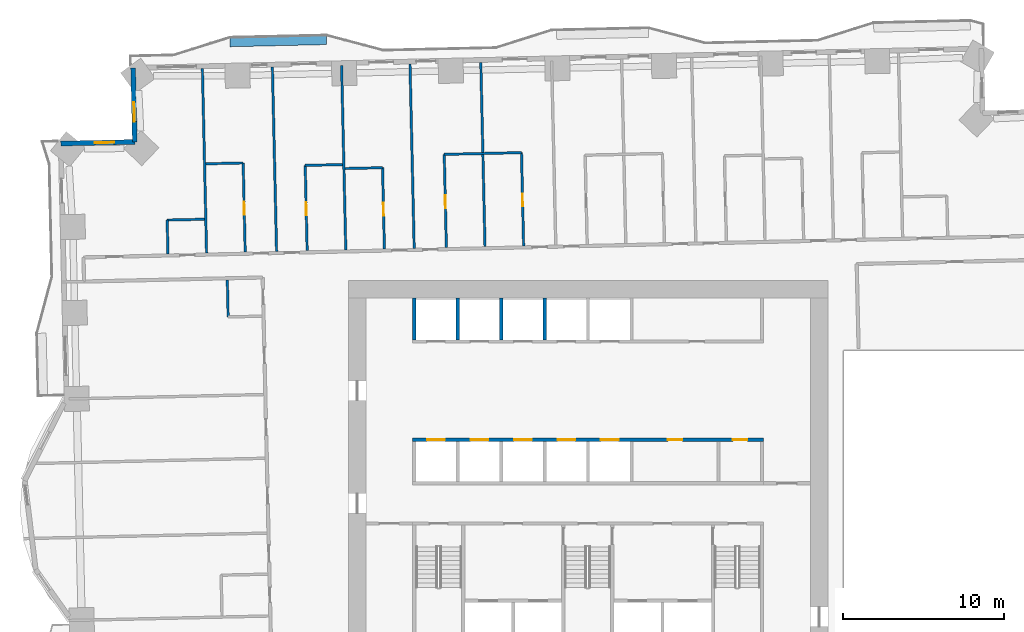
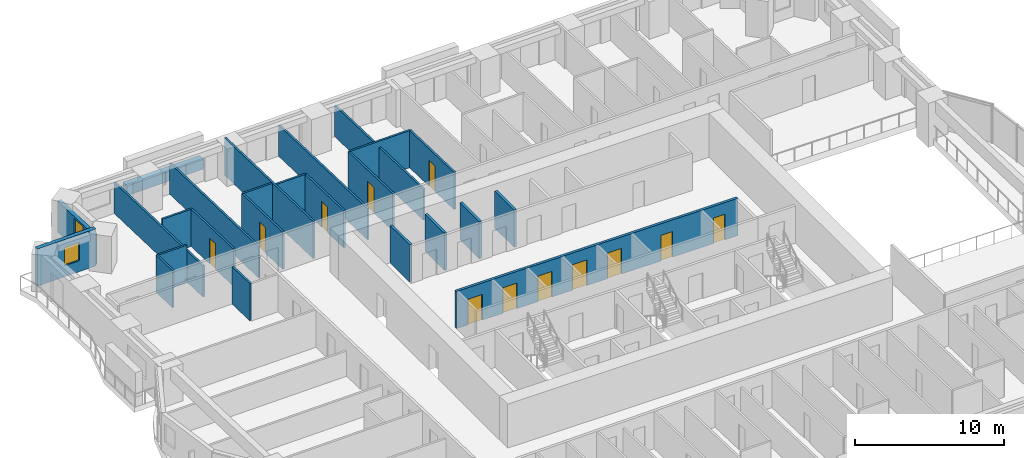
# One storey, part 9 of 16: 25 walls, 12 doors, 2 windows, 14 openings.
"""IFC4 building model written with IfcOpenShell, lengths in metres."""

import ifcopenshell
import ifcopenshell.guid

model = None  # the IFC model being written
_history = None  # IfcOwnerHistory: only IFC2X3 demands one
_inside = {}  # id of a spatial element -> (the spatial element, [elements in it])
_under = {}  # id of a project, library or spatial element -> (it, [spatial elements below it])
_declared = {}  # id of a project -> (the project, [libraries it declares])
_typed = {}  # id of a type object -> (the type object, [elements of that type])
_made_of = {}  # id of a material, layer set ... -> (it, [elements and type objects made of it])


def new_model(schema):
    """Start an empty IFC model of exactly this schema.

    Asked for "IFC4X3", IfcOpenShell would pick the latest addendum, in which some entities
    have other attributes; the version numbers below select the first issue.
    IFC2X3 requires an IfcOwnerHistory on every rooted entity: one is made here for all.
    """
    global model, _history
    if schema == "IFC4X3":
        model = ifcopenshell.file(schema_version=(4, 3, 0, 0))
    else:
        model = ifcopenshell.file(schema=schema)
    _inside.clear()
    _under.clear()
    _declared.clear()
    _typed.clear()
    _made_of.clear()
    _history = None
    if model.schema == "IFC2X3":
        org = make("IfcOrganization", Name="unknown")
        user = make(
            "IfcPersonAndOrganization",
            ThePerson=make("IfcPerson", FamilyName="unknown"),
            TheOrganization=org,
        )
        app = make(
            "IfcApplication",
            ApplicationDeveloper=org,
            Version="unknown",
            ApplicationFullName="unknown",
            ApplicationIdentifier="unknown",
        )
        _history = make(
            "IfcOwnerHistory",
            OwningUser=user,
            OwningApplication=app,
            ChangeAction="ADDED",
            CreationDate=0,
        )
    return model


def make(cls, **values):
    """One entity of the class cls with the attributes given. An attribute that is None is left unset."""
    return model.create_entity(
        cls, **{name: value for name, value in values.items() if value is not None}
    )


def rooted(cls, **values):
    """An entity with a GlobalId (a new one), such as an element, a storey or a relation."""
    return make(cls, GlobalId=ifcopenshell.guid.new(), OwnerHistory=_history, **values)


def si_unit(unit_type, name, prefix=None):
    """IfcSIUnit, for example si_unit("LENGTHUNIT", "METRE", prefix="MILLI")."""
    return make("IfcSIUnit", UnitType=unit_type, Prefix=prefix, Name=name)


def assignment(units):
    """IfcUnitAssignment: the units of a project."""
    return None if units is None else make("IfcUnitAssignment", Units=units)


def point(xyz):
    """IfcCartesianPoint."""
    return None if xyz is None else make("IfcCartesianPoint", Coordinates=xyz)


def direction(xyz):
    """IfcDirection."""
    return None if xyz is None else make("IfcDirection", DirectionRatios=xyz)


def frame(location, z_axis=None, x_axis=None):
    """IfcAxis2Placement3D, a coordinate frame: its origin and axes. An axis left out is left unset."""
    return make(
        "IfcAxis2Placement3D",
        Location=point(location),
        Axis=direction(z_axis),
        RefDirection=direction(x_axis),
    )


def frame_2d(location, x_axis=None):
    """IfcAxis2Placement2D, a coordinate frame in the plane: its origin and x axis."""
    return make(
        "IfcAxis2Placement2D", Location=point(location), RefDirection=direction(x_axis)
    )


def origin():
    """The frame at (0, 0, 0) with its axes left unset."""
    return frame((0.0, 0.0, 0.0))


def place(relative_to, where):
    """IfcLocalPlacement: puts the frame where relative to a parent placement (None: the world)."""
    return make(
        "IfcLocalPlacement", PlacementRelTo=relative_to, RelativePlacement=where
    )


def context(
    kind, dimensions, precision=None, world=None, true_north=None, identifier=None
):
    """IfcGeometricRepresentationContext, for example the 3D "Model" context."""
    return make(
        "IfcGeometricRepresentationContext",
        ContextIdentifier=identifier,
        ContextType=kind,
        CoordinateSpaceDimension=dimensions,
        Precision=precision,
        WorldCoordinateSystem=world,
        TrueNorth=true_north,
    )


def subcontext(parent, identifier, kind, view, scale=None):
    """IfcGeometricRepresentationSubContext, for example "Body" below "Model"."""
    return make(
        "IfcGeometricRepresentationSubContext",
        ContextIdentifier=identifier,
        ContextType=kind,
        ParentContext=parent,
        TargetScale=scale,
        TargetView=view,
    )


def project(units=None, contexts=None):
    """IfcProject with its units and contexts."""
    return rooted(
        "IfcProject",
        Name="project",
        RepresentationContexts=contexts,
        UnitsInContext=assignment(units),
    )


def spatial(cls, under=None, at=None, **own):
    """A site, building, storey or space (cls), placed at a placement, below another one or the project."""
    s = rooted(cls, ObjectPlacement=at, **own)
    if under is not None:
        _under.setdefault(under.id(), (under, []))[1].append(s)
    return s


def profile(cls, at=None, kind="AREA", **sizes):
    """A parametric profile (cls). Its sizes go by their IFC names, for example OverallWidth=200.0."""
    return make(cls, ProfileType=kind, Position=at, **sizes)


def rectangle(**sizes):
    """IfcRectangleProfileDef."""
    return profile("IfcRectangleProfileDef", **sizes)


def extrude(swept, where, along, depth):
    """IfcExtrudedAreaSolid: the profile swept, set in the frame where, extruded along a direction by depth."""
    return make(
        "IfcExtrudedAreaSolid",
        SweptArea=swept,
        Position=where,
        ExtrudedDirection=direction(along),
        Depth=depth,
    )


def shape(context_of_items, identifier, shape_type, items):
    """IfcShapeRepresentation: the items that make up one representation, for example the "Body"."""
    return make(
        "IfcShapeRepresentation",
        ContextOfItems=context_of_items,
        RepresentationIdentifier=identifier,
        RepresentationType=shape_type,
        Items=items,
    )


def material(Name=None, Category=None):
    """IfcMaterial."""
    return make("IfcMaterial", Name=Name, Category=Category)


def layer(
    of_material, thickness, ventilated=None, Name=None, Category=None, Priority=None
):
    """IfcMaterialLayer: one layer of a wall or slab, of a material (None: an air gap)."""
    return make(
        "IfcMaterialLayer",
        Material=of_material,
        LayerThickness=thickness,
        IsVentilated=ventilated,
        Name=Name,
        Category=Category,
        Priority=Priority,
    )


def layer_set(layers, Name=None):
    """IfcMaterialLayerSet."""
    return make("IfcMaterialLayerSet", MaterialLayers=layers, LayerSetName=Name)


def made_of(thing, what):
    """Note that an element or type object is made of a material, layer set ...; save() writes the relation."""
    if what is not None:
        _made_of.setdefault(what.id(), (what, []))[1].append(thing)
    return thing


def type_object(cls, material=None, **own):
    """A type object (cls), such as IfcWallType, which elements share."""
    return made_of(rooted(cls, **own), material)


def element(
    cls,
    number,
    at=None,
    inside=None,
    cuts=None,
    type_object=None,
    material=None,
    context=None,
    identifier="Body",
    shape_type=None,
    held_by="IfcProductDefinitionShape",
    body=None,
    shapes=None,
    **own,
):
    """One element of the class cls, such as IfcWall. Its Tag is "e" and its number.

    at: its placement. inside: the storey or other place that contains it. cuts: it is an
    opening in that element (IfcRelVoidsElement). A single representation is given by context,
    identifier, shape_type and body (its items); several are given by shapes. held_by: the class
    of the entity that holds the representations. save() writes the other relations.
    """
    e = rooted(cls, Tag="e%d" % number, ObjectPlacement=at, **own)
    if body is not None:
        shapes = [shape(context, identifier, shape_type, body)]
    if shapes is not None:
        e.Representation = make(held_by, Representations=shapes)
    if inside is not None:
        _inside.setdefault(inside.id(), (inside, []))[1].append(e)
    if cuts is not None:
        rooted(
            "IfcRelVoidsElement", RelatingBuildingElement=cuts, RelatedOpeningElement=e
        )
    if type_object is not None:
        _typed.setdefault(type_object.id(), (type_object, []))[1].append(e)
    return made_of(e, material)


def fill(opening, filler):
    """IfcRelFillsElement: the door or window that sits in an opening."""
    return rooted(
        "IfcRelFillsElement",
        RelatingOpeningElement=opening,
        RelatedBuildingElement=filler,
    )


def aggregate(whole, parts):
    """IfcRelAggregates: a whole, such as a stair, and the parts it consists of."""
    return rooted("IfcRelAggregates", RelatingObject=whole, RelatedObjects=parts)


def save(model, path):
    """Write the relations noted so far, then the file.

    IfcRelAggregates (storeys below a building ...), IfcRelContainedInSpatialStructure (elements
    in a storey), IfcRelDefinesByType, IfcRelAssociatesMaterial and IfcRelDeclares: one each for
    every whole, place, type object, material and project.
    """
    for whole, parts in _under.values():
        aggregate(whole, parts)
    for where, things in _inside.values():
        rooted(
            "IfcRelContainedInSpatialStructure",
            RelatedElements=things,
            RelatingStructure=where,
        )
    for kind, things in _typed.values():
        rooted("IfcRelDefinesByType", RelatedObjects=things, RelatingType=kind)
    for what, things in _made_of.values():
        rooted("IfcRelAssociatesMaterial", RelatedObjects=things, RelatingMaterial=what)
    for by, libraries in _declared.values():
        rooted("IfcRelDeclares", RelatingContext=by, RelatedDefinitions=libraries)
    model.write(path)


model = new_model("IFC4")

# Units and contexts
model_context = context("Model", 3, precision=1e-05, world=origin(), true_north=direction((0.0, 1.0)))
body_context = subcontext(model_context, "Body", "Model", "MODEL_VIEW")
ifc_project = project(units=[si_unit("LENGTHUNIT", "METRE"), si_unit("AREAUNIT", "SQUARE_METRE"), si_unit("VOLUMEUNIT", "CUBIC_METRE"), si_unit("PLANEANGLEUNIT", "RADIAN"), si_unit("MASSUNIT", "GRAM", prefix="KILO")], contexts=[model_context])

# Site, building, storey
site_placement = place(None, origin())
site = spatial("IfcSite", under=ifc_project, at=site_placement, CompositionType="ELEMENT")
building_placement = place(site_placement, origin())
building = spatial("IfcBuilding", under=site, at=building_placement, Name="Mangrove Gate Tower", CompositionType="ELEMENT")
storey_placement = place(building_placement, frame((0.0, 0.0, 41.300048828125)))
storey = spatial("IfcBuildingStorey", under=building, at=storey_placement, Name="L09", CompositionType="ELEMENT", Elevation=41.300048828125)

# Wall, openings, doors
ifc_material_1 = material(Name="Concrete C70/85", Category="concrete")
ifc_layer_1 = layer(ifc_material_1, 0.199951171875)
ifc_layer_set_1 = layer_set([ifc_layer_1], Name="Core shaft wall 200 C70/85")
wall_type_1 = type_object("IfcWallType", Name="Core shaft wall 200 C70/85", PredefinedType="SHEAR", material=ifc_layer_set_1)
wall_1_placement = place(storey_placement, frame((-10.89990234375, 2.0, 0.0), z_axis=(0.0, 0.0, 1.0), x_axis=(1.0, 0.0, 0.0)))
wall_1 = element("IfcWall", 1, at=wall_1_placement, inside=storey, type_object=wall_type_1, Name="WALL-L09-CORE-7", PredefinedType="SHEAR", context=body_context, shape_type="SweptSolid", body=[
    extrude(rectangle(XDim=21.7998046875, YDim=0.199951171875, at=frame_2d((10.89990234375, 0.0))), origin(), (0.0, 0.0, 1.0), 3.050048828125),
])
opening_1_placement = place(wall_1_placement, frame((0.89990234375, 0.0, 0.0)))
opening_1 = element("IfcOpeningElement", 2, at=opening_1_placement, cuts=wall_1, Name="Opening LD", PredefinedType="OPENING", context=body_context, shape_type="SweptSolid", body=[
    extrude(rectangle(XDim=1.10009765625, YDim=2.10009765625, at=frame_2d((0.550048828125, 1.050048828125))), frame((0.0, 0.10986328125, 0.0), z_axis=(0.0, -1.0, 0.0), x_axis=(1.0, 0.0, 0.0)), (0.0, 0.0, 1.0), 0.219970703125),
])
opening_2_placement = place(wall_1_placement, frame((3.60009765625, 0.0, 0.0)))
opening_2 = element("IfcOpeningElement", 3, at=opening_2_placement, cuts=wall_1, Name="Opening LD", PredefinedType="OPENING", context=body_context, shape_type="SweptSolid", body=[
    extrude(rectangle(XDim=1.10009765625, YDim=2.10009765625, at=frame_2d((0.550048828125, 1.050048828125))), frame((0.0, 0.10986328125, 0.0), z_axis=(0.0, -1.0, 0.0), x_axis=(1.0, 0.0, 0.0)), (0.0, 0.0, 1.0), 0.219970703125),
])
opening_3_placement = place(wall_1_placement, frame((6.300048828125, 0.0, 0.0)))
opening_3 = element("IfcOpeningElement", 4, at=opening_3_placement, cuts=wall_1, Name="Opening LD", PredefinedType="OPENING", context=body_context, shape_type="SweptSolid", body=[
    extrude(rectangle(XDim=1.10009765625, YDim=2.10009765625, at=frame_2d((0.550048828125, 1.050048828125))), frame((0.0, 0.10986328125, 0.0), z_axis=(0.0, -1.0, 0.0), x_axis=(1.0, 0.0, 0.0)), (0.0, 0.0, 1.0), 0.219970703125),
])
opening_4_placement = place(wall_1_placement, frame((9.0, 0.0, 0.0)))
opening_4 = element("IfcOpeningElement", 5, at=opening_4_placement, cuts=wall_1, Name="Opening LD", PredefinedType="OPENING", context=body_context, shape_type="SweptSolid", body=[
    extrude(rectangle(XDim=1.10009765625, YDim=2.10009765625, at=frame_2d((0.550048828125, 1.050048828125))), frame((0.0, 0.10986328125, 0.0), z_axis=(0.0, -1.0, 0.0), x_axis=(1.0, 0.0, 0.0)), (0.0, 0.0, 1.0), 0.219970703125),
])
opening_5_placement = place(wall_1_placement, frame((11.699951171875, 0.0, 0.0)))
opening_5 = element("IfcOpeningElement", 6, at=opening_5_placement, cuts=wall_1, Name="Opening LD", PredefinedType="OPENING", context=body_context, shape_type="SweptSolid", body=[
    extrude(rectangle(XDim=1.10009765625, YDim=2.10009765625, at=frame_2d((0.550048828125, 1.050048828125))), frame((0.0, 0.10986328125, 0.0), z_axis=(0.0, -1.0, 0.0), x_axis=(1.0, 0.0, 0.0)), (0.0, 0.0, 1.0), 0.219970703125),
])
opening_6_placement = place(wall_1_placement, frame((15.85009765625, 0.0, 0.0)))
opening_6 = element("IfcOpeningElement", 7, at=opening_6_placement, cuts=wall_1, Name="Opening KD", PredefinedType="OPENING", context=body_context, shape_type="SweptSolid", body=[
    extrude(rectangle(XDim=0.89990234375, YDim=2.10009765625, at=frame_2d((0.449951171875, 1.050048828125))), frame((0.0, 0.10986328125, 0.0), z_axis=(0.0, -1.0, 0.0), x_axis=(1.0, 0.0, 0.0)), (0.0, 0.0, 1.0), 0.219970703125),
])
opening_7_placement = place(wall_1_placement, frame((19.89990234375, 0.0, 0.0)))
opening_7 = element("IfcOpeningElement", 8, at=opening_7_placement, cuts=wall_1, Name="Opening KD", PredefinedType="OPENING", context=body_context, shape_type="SweptSolid", body=[
    extrude(rectangle(XDim=0.89990234375, YDim=2.10009765625, at=frame_2d((0.449951171875, 1.050048828125))), frame((0.0, 0.10986328125, 0.0), z_axis=(0.0, -1.0, 0.0), x_axis=(1.0, 0.0, 0.0)), (0.0, 0.0, 1.0), 0.219970703125),
])
ifc_material_2 = material(Name="Fire-rated steel door set", Category="steel")
door_type_1 = type_object("IfcDoorType", Name="Core room door FD30S 900x2100", OperationType="SINGLE_SWING_RIGHT", PredefinedType="DOOR", material=ifc_material_2)
door_1_placement = place(opening_6_placement, origin())
door_1 = element("IfcDoor", 9, at=door_1_placement, inside=storey, type_object=door_type_1, Name="Core room door Pantry store", OperationType="SINGLE_SWING_RIGHT", OverallHeight=2.10009765625, OverallWidth=0.89990234375, PredefinedType="DOOR", context=body_context, shape_type="SweptSolid", body=[
    extrude(rectangle(XDim=0.89990234375, YDim=2.10009765625, at=frame_2d((0.449951171875, 1.050048828125))), frame((0.0, 0.02490234375, 0.0), z_axis=(0.0, -1.0, 0.0), x_axis=(1.0, 0.0, 0.0)), (0.0, 0.0, 1.0), 0.050048828125),
])
fill(opening_6, door_1)
door_2_placement = place(opening_7_placement, origin())
door_2 = element("IfcDoor", 10, at=door_2_placement, inside=storey, type_object=door_type_1, Name="Core room door Cleaner's store", OperationType="SINGLE_SWING_RIGHT", OverallHeight=2.10009765625, OverallWidth=0.89990234375, PredefinedType="DOOR", context=body_context, shape_type="SweptSolid", body=[
    extrude(rectangle(XDim=0.89990234375, YDim=2.10009765625, at=frame_2d((0.449951171875, 1.050048828125))), frame((0.0, 0.02490234375, 0.0), z_axis=(0.0, -1.0, 0.0), x_axis=(1.0, 0.0, 0.0)), (0.0, 0.0, 1.0), 0.050048828125),
])
fill(opening_7, door_2)
ifc_material_3 = material(Name="Stainless steel 316", Category="steel")
door_type_2 = type_object("IfcDoorType", Name="Lift landing door 1100x2100", OperationType="SLIDING_TO_LEFT", PredefinedType="DOOR", material=ifc_material_3)
door_3_placement = place(opening_1_placement, origin())
door_3 = element("IfcDoor", 11, at=door_3_placement, inside=storey, type_object=door_type_2, Name="Landing door LD P01", OperationType="SLIDING_TO_LEFT", OverallHeight=2.10009765625, OverallWidth=1.10009765625, PredefinedType="DOOR", context=body_context, shape_type="SweptSolid", body=[
    extrude(rectangle(XDim=1.10009765625, YDim=2.10009765625, at=frame_2d((0.550048828125, 1.050048828125))), frame((0.0, 0.02490234375, 0.0), z_axis=(0.0, -1.0, 0.0), x_axis=(1.0, 0.0, 0.0)), (0.0, 0.0, 1.0), 0.050048828125),
])
fill(opening_1, door_3)
door_4_placement = place(opening_2_placement, origin())
door_4 = element("IfcDoor", 12, at=door_4_placement, inside=storey, type_object=door_type_2, Name="Landing door LD P02", OperationType="SLIDING_TO_LEFT", OverallHeight=2.10009765625, OverallWidth=1.10009765625, PredefinedType="DOOR", context=body_context, shape_type="SweptSolid", body=[
    extrude(rectangle(XDim=1.10009765625, YDim=2.10009765625, at=frame_2d((0.550048828125, 1.050048828125))), frame((0.0, 0.02490234375, 0.0), z_axis=(0.0, -1.0, 0.0), x_axis=(1.0, 0.0, 0.0)), (0.0, 0.0, 1.0), 0.050048828125),
])
fill(opening_2, door_4)
door_5_placement = place(opening_3_placement, origin())
door_5 = element("IfcDoor", 13, at=door_5_placement, inside=storey, type_object=door_type_2, Name="Landing door LD P03", OperationType="SLIDING_TO_LEFT", OverallHeight=2.10009765625, OverallWidth=1.10009765625, PredefinedType="DOOR", context=body_context, shape_type="SweptSolid", body=[
    extrude(rectangle(XDim=1.10009765625, YDim=2.10009765625, at=frame_2d((0.550048828125, 1.050048828125))), frame((0.0, 0.02490234375, 0.0), z_axis=(0.0, -1.0, 0.0), x_axis=(1.0, 0.0, 0.0)), (0.0, 0.0, 1.0), 0.050048828125),
])
fill(opening_3, door_5)
door_6_placement = place(opening_4_placement, origin())
door_6 = element("IfcDoor", 14, at=door_6_placement, inside=storey, type_object=door_type_2, Name="Landing door LD P04", OperationType="SLIDING_TO_LEFT", OverallHeight=2.10009765625, OverallWidth=1.10009765625, PredefinedType="DOOR", context=body_context, shape_type="SweptSolid", body=[
    extrude(rectangle(XDim=1.10009765625, YDim=2.10009765625, at=frame_2d((0.550048828125, 1.050048828125))), frame((0.0, 0.02490234375, 0.0), z_axis=(0.0, -1.0, 0.0), x_axis=(1.0, 0.0, 0.0)), (0.0, 0.0, 1.0), 0.050048828125),
])
fill(opening_4, door_6)
door_7_placement = place(opening_5_placement, origin())
door_7 = element("IfcDoor", 15, at=door_7_placement, inside=storey, type_object=door_type_2, Name="Landing door LD P05", OperationType="SLIDING_TO_LEFT", OverallHeight=2.10009765625, OverallWidth=1.10009765625, PredefinedType="DOOR", context=body_context, shape_type="SweptSolid", body=[
    extrude(rectangle(XDim=1.10009765625, YDim=2.10009765625, at=frame_2d((0.550048828125, 1.050048828125))), frame((0.0, 0.02490234375, 0.0), z_axis=(0.0, -1.0, 0.0), x_axis=(1.0, 0.0, 0.0)), (0.0, 0.0, 1.0), 0.050048828125),
])
fill(opening_5, door_7)

# Walls
for number, where, z_axis, x_axis, name in (
    (16, (-10.800048828125, 8.199951171875, 0.0), (0.0, 0.0, 1.0), (0.0, 1.0, 0.0), "WALL-L09-CORE-27"),
    (17, (-8.10009765625, 8.199951171875, 0.0), (0.0, 0.0, 1.0), (0.0, 1.0, 0.0), "WALL-L09-CORE-28"),
    (18, (-5.39990234375, 8.199951171875, 0.0), (0.0, 0.0, 1.0), (0.0, 1.0, 0.0), "WALL-L09-CORE-29"),
    (19, (-2.699951171875, 8.199951171875, 0.0), (0.0, 0.0, 1.0), (0.0, 1.0, 0.0), "WALL-L09-CORE-30"),
):
    element("IfcWall", number, at=place(storey_placement, frame(where, z_axis=z_axis, x_axis=x_axis)), inside=storey, type_object=wall_type_1, Name=name, PredefinedType="SHEAR", context=body_context, shape_type="SweptSolid", body=[
        extrude(rectangle(XDim=2.60009765625, YDim=0.199951171875, at=frame_2d((1.300048828125, 0.0))), origin(), (0.0, 0.0, 1.0), 3.050048828125),
    ])

# Wall, opening, window
ifc_material_4 = material(Name="Limestone", Category="masonry")
ifc_layer_2 = layer(ifc_material_4, 0.0400390625, Name="Limestone cladding")
ifc_material_5 = material(Name="Ventilated air gap")
ifc_layer_3 = layer(ifc_material_5, 0.0400390625, Name="Ventilated cavity")
ifc_material_6 = material(Name="Mineral wool insulation")
ifc_layer_4 = layer(ifc_material_6, 0.06005859375, Name="Insulation")
ifc_material_7 = material(Name="Breather membrane")
ifc_layer_5 = layer(ifc_material_7, 0.001953125, Name="Breather membrane")
ifc_material_8 = material(Name="Concrete C20/25 blockwork", Category="masonry")
ifc_layer_6 = layer(ifc_material_8, 0.14990234375, Name="Blockwork backing wall")
ifc_material_9 = material(Name="Gypsum plaster")
ifc_layer_7 = layer(ifc_material_9, 0.008056640625, Name="Internal plaster")
ifc_layer_set_2 = layer_set([ifc_layer_2, ifc_layer_3, ifc_layer_4, ifc_layer_5, ifc_layer_6, ifc_layer_7], Name="External wall 300 limestone cladding")
wall_type_2 = type_object("IfcWallType", Name="External wall 300 limestone cladding", PredefinedType="SOLIDWALL", material=ifc_layer_set_2)
wall_2_placement = place(storey_placement, frame((-28.263916015625, 25.10205078125, 0.0), z_axis=(0.0, 0.0, 1.0), x_axis=(0.022820258049, -0.999739584003, 0.0)))
wall_2 = element("IfcWall", 20, at=wall_2_placement, inside=storey, type_object=wall_type_2, Name="WALL-L09-W6", PredefinedType="SOLIDWALL", context=body_context, shape_type="SweptSolid", body=[
    extrude(rectangle(XDim=4.600341796875, YDim=0.300048828125, at=frame_2d((2.30029296875, 0.0))), origin(), (0.0, 0.0, 1.0), 2.550048828125),
])
opening_8_placement = place(wall_2_placement, frame((2.133056640625, 0.0, 0.89990234375)))
opening_8 = element("IfcOpeningElement", 21, at=opening_8_placement, cuts=wall_2, Name="Opening W1", PredefinedType="OPENING", context=body_context, shape_type="SweptSolid", body=[
    extrude(rectangle(XDim=1.199951171875, YDim=1.5, at=frame_2d((0.60009765625, 0.75))), frame((0.0, 0.159912109375, 0.0), z_axis=(0.0, -1.0, 0.0), x_axis=(1.0, 0.0, 0.0)), (0.0, 0.0, 1.0), 0.320068359375),
])
ifc_material_10 = material(Name="Aluminium frame with double-glazed low-e glass", Category="aluminium")
window_type = type_object("IfcWindowType", Name="Side lite 1200x1500", PartitioningType="SINGLE_PANEL", PredefinedType="WINDOW", material=ifc_material_10)
window_1_placement = place(opening_8_placement, origin())
window_1 = element("IfcWindow", 22, at=window_1_placement, inside=storey, type_object=window_type, Name="WIN-L09-W6-1", OverallHeight=1.5, OverallWidth=1.199951171875, PartitioningType="SINGLE_PANEL", PredefinedType="WINDOW", context=body_context, shape_type="SweptSolid", body=[
    extrude(rectangle(XDim=1.199951171875, YDim=1.5, at=frame_2d((0.60009765625, 0.75))), frame((0.0, 0.030029296875, 0.0), z_axis=(0.0, -1.0, 0.0), x_axis=(1.0, 0.0, 0.0)), (0.0, 0.0, 1.0), 0.06005859375),
])
fill(opening_8, window_1)

wall_3_placement = place(storey_placement, frame((-28.158935546875, 20.5029296875, 0.0), z_axis=(0.0, 0.0, 1.0), x_axis=(-0.999744404568, -0.02260808559, 0.0)))
wall_3 = element("IfcWall", 23, at=wall_3_placement, inside=storey, type_object=wall_type_2, Name="WALL-L09-N7", PredefinedType="SOLIDWALL", context=body_context, shape_type="SweptSolid", body=[
    extrude(rectangle(XDim=4.600341796875, YDim=0.300048828125, at=frame_2d((2.30029296875, 0.0))), origin(), (0.0, 0.0, 1.0), 3.050048828125),
])
opening_9_placement = place(wall_3_placement, frame((1.283935546875, 0.0, 0.89990234375)))
opening_9 = element("IfcOpeningElement", 24, at=opening_9_placement, cuts=wall_3, Name="Opening W1", PredefinedType="OPENING", context=body_context, shape_type="SweptSolid", body=[
    extrude(rectangle(XDim=1.199951171875, YDim=1.5, at=frame_2d((0.60009765625, 0.75))), frame((0.0, 0.159912109375, 0.0), z_axis=(0.0, -1.0, 0.0), x_axis=(1.0, 0.0, 0.0)), (0.0, 0.0, 1.0), 0.320068359375),
])
window_2_placement = place(opening_9_placement, origin())
window_2 = element("IfcWindow", 25, at=window_2_placement, inside=storey, type_object=window_type, Name="WIN-L09-N7-1", OverallHeight=1.5, OverallWidth=1.199951171875, PartitioningType="SINGLE_PANEL", PredefinedType="WINDOW", context=body_context, shape_type="SweptSolid", body=[
    extrude(rectangle(XDim=1.199951171875, YDim=1.5, at=frame_2d((0.60009765625, 0.75))), frame((0.0, 0.030029296875, 0.0), z_axis=(0.0, -1.0, 0.0), x_axis=(1.0, 0.0, 0.0)), (0.0, 0.0, 1.0), 0.06005859375),
])
fill(opening_9, window_2)

# Walls
ifc_material_11 = material(Name="Gypsum board on steel stud, EI 60", Category="steel")
ifc_layer_8 = layer(ifc_material_11, 0.14990234375)
ifc_layer_set_3 = layer_set([ifc_layer_8], Name="Party wall 150 EI 60")
wall_type_3 = type_object("IfcWallType", Name="Party wall 150 EI 60", PredefinedType="PARTITIONING", material=ifc_layer_set_3)
wall_4_placement = place(storey_placement, frame((-22.361083984375, 9.632080078125, 0.0), z_axis=(0.0, 0.0, 1.0), x_axis=(-0.022615284993, 0.999744241736, 0.0)))
element("IfcWall", 26, at=wall_4_placement, inside=storey, type_object=wall_type_3, Name="WALL-L09-049", PredefinedType="PARTITIONING", context=body_context, shape_type="SweptSolid", body=[
    extrude(rectangle(XDim=2.29931640625, YDim=0.14990234375, at=frame_2d((1.149658203125, 0.0))), origin(), (0.0, 0.0, 1.0), 3.050048828125),
])
wall_5_placement = place(storey_placement, frame((-26.10107421875, 13.548095703125, 0.0), z_axis=(0.0, 0.0, 1.0), x_axis=(-0.022782133344, 0.999740453518, 0.0)))
element("IfcWall", 27, at=wall_5_placement, inside=storey, type_object=wall_type_3, Name="WALL-L09-057", PredefinedType="PARTITIONING", context=body_context, shape_type="SweptSolid", body=[
    extrude(rectangle(XDim=2.100341796875, YDim=0.14990234375, at=frame_2d((1.05029296875, 0.0))), origin(), (0.0, 0.0, 1.0), 3.050048828125),
])
wall_6_placement = place(storey_placement, frame((-23.701904296875, 13.60205078125, 0.0), z_axis=(0.0, 0.0, 1.0), x_axis=(-0.022621153305, 0.999744108971, 0.0)))
element("IfcWall", 28, at=wall_6_placement, inside=storey, type_object=wall_type_3, Name="WALL-L09-058", PredefinedType="PARTITIONING", context=body_context, shape_type="SweptSolid", body=[
    extrude(rectangle(XDim=11.450927734375, YDim=0.14990234375, at=frame_2d((5.7255859375, 0.0))), origin(), (0.0, 0.0, 1.0), 2.550048828125),
])

# Wall, opening, door
wall_7_placement = place(storey_placement, frame((-21.302001953125, 13.656982421875, 0.0), z_axis=(0.0, 0.0, 1.0), x_axis=(-0.02273742063, 0.999741471433, 0.0)))
wall_7 = element("IfcWall", 29, at=wall_7_placement, inside=storey, type_object=wall_type_3, Name="WALL-L09-059", PredefinedType="PARTITIONING", context=body_context, shape_type="SweptSolid", body=[
    extrude(rectangle(XDim=5.54052734375, YDim=0.14990234375, at=frame_2d((2.770263671875, 0.0))), origin(), (0.0, 0.0, 1.0), 3.050048828125),
])
opening_10_placement = place(wall_7_placement, frame((2.320068359375, 0.0, 0.0)))
opening_10 = element("IfcOpeningElement", 30, at=opening_10_placement, cuts=wall_7, Name="Opening ED", PredefinedType="OPENING", context=body_context, shape_type="SweptSolid", body=[
    extrude(rectangle(XDim=0.800048828125, YDim=2.10009765625, at=frame_2d((0.39990234375, 1.050048828125))), frame((0.0, 0.0849609375, 0.0), z_axis=(0.0, -1.0, 0.0), x_axis=(1.0, 0.0, 0.0)), (0.0, 0.0, 1.0), 0.169921875),
])
ifc_material_12 = material(Name="Timber door leaf", Category="wood")
door_type_3 = type_object("IfcDoorType", Name="En-suite door 800", OperationType="SINGLE_SWING_LEFT", PredefinedType="DOOR", material=ifc_material_12)
door_8_placement = place(opening_10_placement, origin())
door_8 = element("IfcDoor", 31, at=door_8_placement, inside=storey, type_object=door_type_3, Name="DOOR-L09-ENS-c519", OperationType="SINGLE_SWING_LEFT", OverallHeight=2.10009765625, OverallWidth=0.800048828125, PredefinedType="DOOR", context=body_context, shape_type="SweptSolid", body=[
    extrude(rectangle(XDim=0.800048828125, YDim=2.10009765625, at=frame_2d((0.39990234375, 1.050048828125))), frame((0.0, 0.02490234375, 0.0), z_axis=(0.0, -1.0, 0.0), x_axis=(1.0, 0.0, 0.0)), (0.0, 0.0, 1.0), 0.050048828125),
])
fill(opening_10, door_8)

# Wall
wall_8_placement = place(storey_placement, frame((-19.35302734375, 13.700927734375, 0.0), z_axis=(0.0, 0.0, 1.0), x_axis=(-0.022708327922, 0.999742132674, 0.0)))
element("IfcWall", 32, at=wall_8_placement, inside=storey, type_object=wall_type_3, Name="WALL-L09-060", PredefinedType="PARTITIONING", context=body_context, shape_type="SweptSolid", body=[
    extrude(rectangle(XDim=11.449951171875, YDim=0.14990234375, at=frame_2d((5.72509765625, 0.0))), origin(), (0.0, 0.0, 1.0), 2.550048828125),
])

# Wall, opening, door
wall_9_placement = place(storey_placement, frame((-17.452880859375, 13.743896484375, 0.0), z_axis=(0.0, 0.0, 1.0), x_axis=(-0.022845913063, 0.999738998067, 0.0)))
wall_9 = element("IfcWall", 33, at=wall_9_placement, inside=storey, type_object=wall_type_3, Name="WALL-L09-061", PredefinedType="PARTITIONING", context=body_context, shape_type="SweptSolid", body=[
    extrude(rectangle(XDim=5.300537109375, YDim=0.14990234375, at=frame_2d((2.650390625, 0.0))), origin(), (0.0, 0.0, 1.0), 3.050048828125),
])
opening_11_placement = place(wall_9_placement, frame((2.199951171875, 0.0, 0.0)))
opening_11 = element("IfcOpeningElement", 34, at=opening_11_placement, cuts=wall_9, Name="Opening ED", PredefinedType="OPENING", context=body_context, shape_type="SweptSolid", body=[
    extrude(rectangle(XDim=0.800048828125, YDim=2.10009765625, at=frame_2d((0.39990234375, 1.050048828125))), frame((0.0, 0.0849609375, 0.0), z_axis=(0.0, -1.0, 0.0), x_axis=(1.0, 0.0, 0.0)), (0.0, 0.0, 1.0), 0.169921875),
])
door_9_placement = place(opening_11_placement, origin())
door_9 = element("IfcDoor", 35, at=door_9_placement, inside=storey, type_object=door_type_3, Name="DOOR-L09-ENS-c518", OperationType="SINGLE_SWING_RIGHT", OverallHeight=2.10009765625, OverallWidth=0.800048828125, PredefinedType="DOOR", context=body_context, shape_type="SweptSolid", body=[
    extrude(rectangle(XDim=0.800048828125, YDim=2.10009765625, at=frame_2d((0.39990234375, 1.050048828125))), frame((0.0, 0.02490234375, 0.0), z_axis=(0.0, -1.0, 0.0), x_axis=(1.0, 0.0, 0.0)), (0.0, 0.0, 1.0), 0.050048828125),
])
fill(opening_11, door_9)

# Wall
wall_10_placement = place(storey_placement, frame((-15.053955078125, 13.799072265625, 0.0), z_axis=(0.0, 0.0, 1.0), x_axis=(-0.022708327922, 0.999742132674, 0.0)))
element("IfcWall", 36, at=wall_10_placement, inside=storey, type_object=wall_type_3, Name="WALL-L09-062", PredefinedType="PARTITIONING", context=body_context, shape_type="SweptSolid", body=[
    extrude(rectangle(XDim=11.449951171875, YDim=0.14990234375, at=frame_2d((5.72509765625, 0.0))), origin(), (0.0, 0.0, 1.0), 3.050048828125),
])

# Wall, opening, door
wall_11_placement = place(storey_placement, frame((-12.655029296875, 13.85302734375, 0.0), z_axis=(0.0, 0.0, 1.0), x_axis=(-0.02257535817, 0.999745144126, 0.0)))
wall_11 = element("IfcWall", 37, at=wall_11_placement, inside=storey, type_object=wall_type_3, Name="WALL-L09-063", PredefinedType="PARTITIONING", context=body_context, shape_type="SweptSolid", body=[
    extrude(rectangle(XDim=5.05029296875, YDim=0.14990234375, at=frame_2d((2.525146484375, 0.0))), origin(), (0.0, 0.0, 1.0), 3.050048828125),
])
opening_12_placement = place(wall_11_placement, frame((2.074951171875, 0.0, 0.0)))
opening_12 = element("IfcOpeningElement", 38, at=opening_12_placement, cuts=wall_11, Name="Opening ED", PredefinedType="OPENING", context=body_context, shape_type="SweptSolid", body=[
    extrude(rectangle(XDim=0.800048828125, YDim=2.10009765625, at=frame_2d((0.39990234375, 1.050048828125))), frame((0.0, 0.0849609375, 0.0), z_axis=(0.0, -1.0, 0.0), x_axis=(1.0, 0.0, 0.0)), (0.0, 0.0, 1.0), 0.169921875),
])
door_10_placement = place(opening_12_placement, origin())
door_10 = element("IfcDoor", 39, at=door_10_placement, inside=storey, type_object=door_type_3, Name="DOOR-L09-ENS-c517", OperationType="SINGLE_SWING_LEFT", OverallHeight=2.10009765625, OverallWidth=0.800048828125, PredefinedType="DOOR", context=body_context, shape_type="SweptSolid", body=[
    extrude(rectangle(XDim=0.800048828125, YDim=2.10009765625, at=frame_2d((0.39990234375, 1.050048828125))), frame((0.0, 0.02490234375, 0.0), z_axis=(0.0, -1.0, 0.0), x_axis=(1.0, 0.0, 0.0)), (0.0, 0.0, 1.0), 0.050048828125),
])
fill(opening_12, door_10)

# Wall
wall_12_placement = place(storey_placement, frame((-10.804931640625, 13.89501953125, 0.0), z_axis=(0.0, 0.0, 1.0), x_axis=(-0.022708327922, 0.999742132674, 0.0)))
element("IfcWall", 40, at=wall_12_placement, inside=storey, type_object=wall_type_3, Name="WALL-L09-064", PredefinedType="PARTITIONING", context=body_context, shape_type="SweptSolid", body=[
    extrude(rectangle(XDim=11.449951171875, YDim=0.14990234375, at=frame_2d((5.72509765625, 0.0))), origin(), (0.0, 0.0, 1.0), 2.550048828125),
])

# Wall, opening, door
wall_13_placement = place(storey_placement, frame((-8.805908203125, 13.94091796875, 0.0), z_axis=(0.0, 0.0, 1.0), x_axis=(-0.022644773889, 0.999743574231, 0.0)))
wall_13 = element("IfcWall", 41, at=wall_13_placement, inside=storey, type_object=wall_type_3, Name="WALL-L09-065", PredefinedType="PARTITIONING", context=body_context, shape_type="SweptSolid", body=[
    extrude(rectangle(XDim=5.78955078125, YDim=0.14990234375, at=frame_2d((2.894775390625, 0.0))), origin(), (0.0, 0.0, 1.0), 3.050048828125),
])
opening_13_placement = place(wall_13_placement, frame((2.445068359375, 0.0, 0.0)))
opening_13 = element("IfcOpeningElement", 42, at=opening_13_placement, cuts=wall_13, Name="Opening ED", PredefinedType="OPENING", context=body_context, shape_type="SweptSolid", body=[
    extrude(rectangle(XDim=0.800048828125, YDim=2.10009765625, at=frame_2d((0.39990234375, 1.050048828125))), frame((0.0, 0.0849609375, 0.0), z_axis=(0.0, -1.0, 0.0), x_axis=(1.0, 0.0, 0.0)), (0.0, 0.0, 1.0), 0.169921875),
])
door_11_placement = place(opening_13_placement, origin())
door_11 = element("IfcDoor", 43, at=door_11_placement, inside=storey, type_object=door_type_3, Name="DOOR-L09-ENS-c416", OperationType="SINGLE_SWING_RIGHT", OverallHeight=2.10009765625, OverallWidth=0.800048828125, PredefinedType="DOOR", context=body_context, shape_type="SweptSolid", body=[
    extrude(rectangle(XDim=0.800048828125, YDim=2.10009765625, at=frame_2d((0.39990234375, 1.050048828125))), frame((0.0, 0.02490234375, 0.0), z_axis=(0.0, -1.0, 0.0), x_axis=(1.0, 0.0, 0.0)), (0.0, 0.0, 1.0), 0.050048828125),
])
fill(opening_13, door_11)

# Wall
wall_14_placement = place(storey_placement, frame((-6.406005859375, 13.9951171875, 0.0), z_axis=(0.0, 0.0, 1.0), x_axis=(-0.022708812003, 0.999742121678, 0.0)))
element("IfcWall", 44, at=wall_14_placement, inside=storey, type_object=wall_type_3, Name="WALL-L09-066", PredefinedType="PARTITIONING", context=body_context, shape_type="SweptSolid", body=[
    extrude(rectangle(XDim=11.44970703125, YDim=0.14990234375, at=frame_2d((5.724853515625, 0.0))), origin(), (0.0, 0.0, 1.0), 2.550048828125),
])

# Wall, opening, door
wall_15_placement = place(storey_placement, frame((-4.007080078125, 14.049072265625, 0.0), z_axis=(0.0, 0.0, 1.0), x_axis=(-0.02259976811, 0.999744592624, 0.0)))
wall_15 = element("IfcWall", 45, at=wall_15_placement, inside=storey, type_object=wall_type_3, Name="WALL-L09-067", PredefinedType="PARTITIONING", context=body_context, shape_type="SweptSolid", body=[
    extrude(rectangle(XDim=5.790283203125, YDim=0.14990234375, at=frame_2d((2.89501953125, 0.0))), origin(), (0.0, 0.0, 1.0), 3.050048828125),
])
opening_14_placement = place(wall_15_placement, frame((2.445068359375, 0.0, 0.0)))
opening_14 = element("IfcOpeningElement", 46, at=opening_14_placement, cuts=wall_15, Name="Opening ED", PredefinedType="OPENING", context=body_context, shape_type="SweptSolid", body=[
    extrude(rectangle(XDim=0.800048828125, YDim=2.10009765625, at=frame_2d((0.39990234375, 1.050048828125))), frame((0.0, 0.0849609375, 0.0), z_axis=(0.0, -1.0, 0.0), x_axis=(1.0, 0.0, 0.0)), (0.0, 0.0, 1.0), 0.169921875),
])
door_12_placement = place(opening_14_placement, origin())
door_12 = element("IfcDoor", 47, at=door_12_placement, inside=storey, type_object=door_type_3, Name="DOOR-L09-ENS-c415", OperationType="SINGLE_SWING_LEFT", OverallHeight=2.10009765625, OverallWidth=0.800048828125, PredefinedType="DOOR", context=body_context, shape_type="SweptSolid", body=[
    extrude(rectangle(XDim=0.800048828125, YDim=2.10009765625, at=frame_2d((0.39990234375, 1.050048828125))), frame((0.0, 0.02490234375, 0.0), z_axis=(0.0, -1.0, 0.0), x_axis=(1.0, 0.0, 0.0)), (0.0, 0.0, 1.0), 0.050048828125),
])
fill(opening_14, door_12)

# Walls
for number, where, z_axis, x_axis, name in (
    (48, (-26.14892578125, 15.64794921875, 0.0), (0.0, 0.0, 1.0), (0.999749954681, 0.022361308448, 0.0), "WALL-L09-080"),
    (49, (-15.093994140625, 18.84912109375, 0.0), (0.0, 0.0, 1.0), (0.999740478815, 0.022781023197, 0.0), "WALL-L09-082"),
    (50, (-17.573974609375, 19.04296875, 0.0), (0.0, 0.0, 1.0), (0.999740478815, 0.022781023197, 0.0), "WALL-L09-084"),
):
    element("IfcWall", number, at=place(storey_placement, frame(where, z_axis=z_axis, x_axis=x_axis)), inside=storey, type_object=wall_type_3, Name=name, PredefinedType="PARTITIONING", context=body_context, shape_type="SweptSolid", body=[
        extrude(rectangle(XDim=2.325439453125, YDim=0.14990234375, at=frame_2d((1.16259765625, 0.0))), origin(), (0.0, 0.0, 1.0), 3.050048828125),
    ])
wall_16_placement = place(storey_placement, frame((-23.751953125, 19.14306640625, 0.0), z_axis=(0.0, 0.0, 1.0), x_axis=(0.999740260747, 0.02279059109, 0.0)))
element("IfcWall", 51, at=wall_16_placement, inside=storey, type_object=wall_type_3, Name="WALL-L09-087", PredefinedType="PARTITIONING", context=body_context, shape_type="SweptSolid", body=[
    extrude(rectangle(XDim=2.324462890625, YDim=0.14990234375, at=frame_2d((1.162109375, 0.0))), origin(), (0.0, 0.0, 1.0), 3.050048828125),
])
wall_17_placement = place(storey_placement, frame((-8.93701171875, 19.72900390625, 0.0), z_axis=(0.0, 0.0, 1.0), x_axis=(0.999742701292, 0.022683280499, 0.0)))
element("IfcWall", 52, at=wall_17_placement, inside=storey, type_object=wall_type_3, Name="WALL-L09-089", PredefinedType="PARTITIONING", context=body_context, shape_type="SweptSolid", body=[
    extrude(rectangle(XDim=4.80029296875, YDim=0.14990234375, at=frame_2d((2.400146484375, 0.0))), origin(), (0.0, 0.0, 1.0), 3.050048828125),
])
ifc_material_13 = material(Name="Concrete C32/40", Category="concrete")
ifc_layer_9 = layer(ifc_material_13, 0.199951171875, Name="Planter trough wall")
ifc_material_14 = material(Name="Bituminous waterproofing membrane")
ifc_layer_10 = layer(ifc_material_14, 0.0048828125, Name="Waterproofing")
ifc_material_15 = material(Name="Drainage board and gravel")
ifc_layer_11 = layer(ifc_material_15, 0.044921875, Name="Drainage layer")
ifc_material_16 = material(Name="Planting soil")
ifc_layer_12 = layer(ifc_material_16, 0.300048828125, Name="Growing medium")
ifc_layer_set_4 = layer_set([ifc_layer_9, ifc_layer_10, ifc_layer_11, ifc_layer_12], Name="Planter wall 550 C32/40")
wall_type_4 = type_object("IfcWallType", Name="Planter wall 550 C32/40", PredefinedType="USERDEFINED", material=ifc_layer_set_4)
wall_18_placement = place(storey_placement, frame((-22.248046875, 26.68798828125, 0.0), z_axis=(0.0, 0.0, 1.0), x_axis=(0.999743178102, 0.022662255828, 0.0)))
element("IfcWall", 53, at=wall_18_placement, inside=storey, type_object=wall_type_4, Name="PLANTER L09 N1.1", ObjectType="PLANTER", PredefinedType="USERDEFINED", context=body_context, shape_type="SweptSolid", body=[
    extrude(rectangle(XDim=6.00048828125, YDim=0.550048828125, at=frame_2d((3.000244140625, 0.0))), origin(), (0.0, 0.0, 1.0), 0.800048828125),
])

save(model, "model.ifc")
